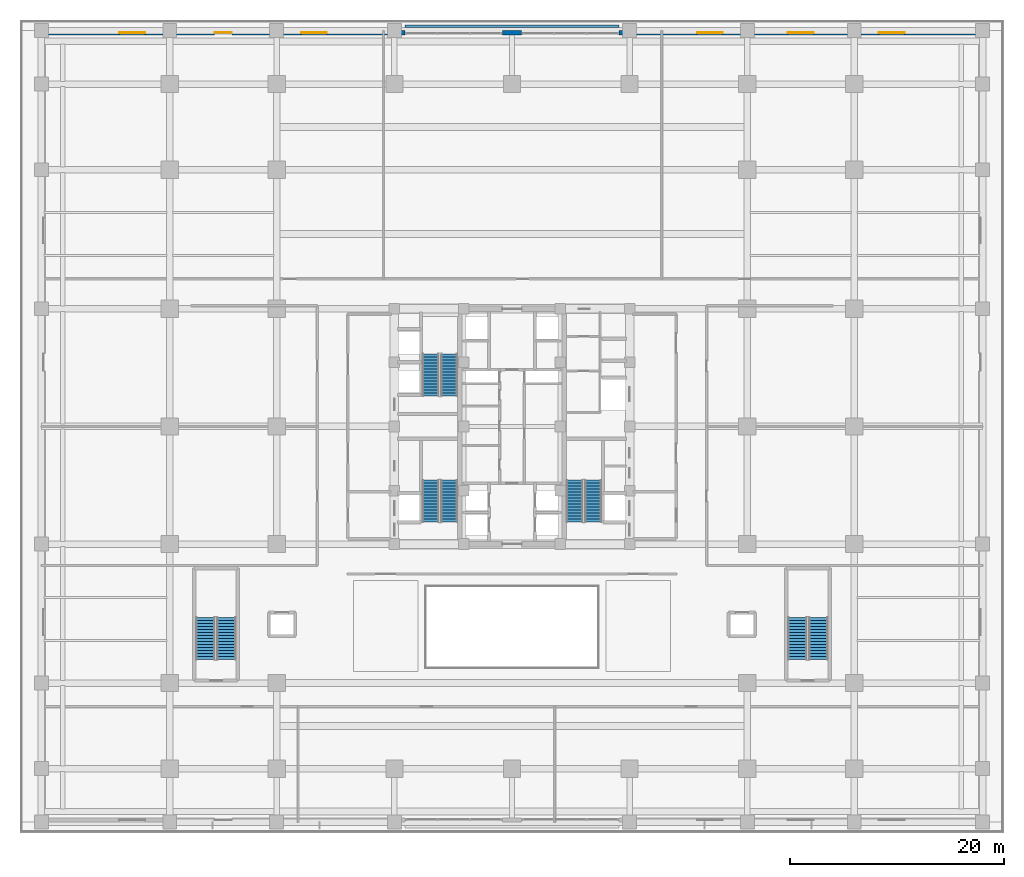
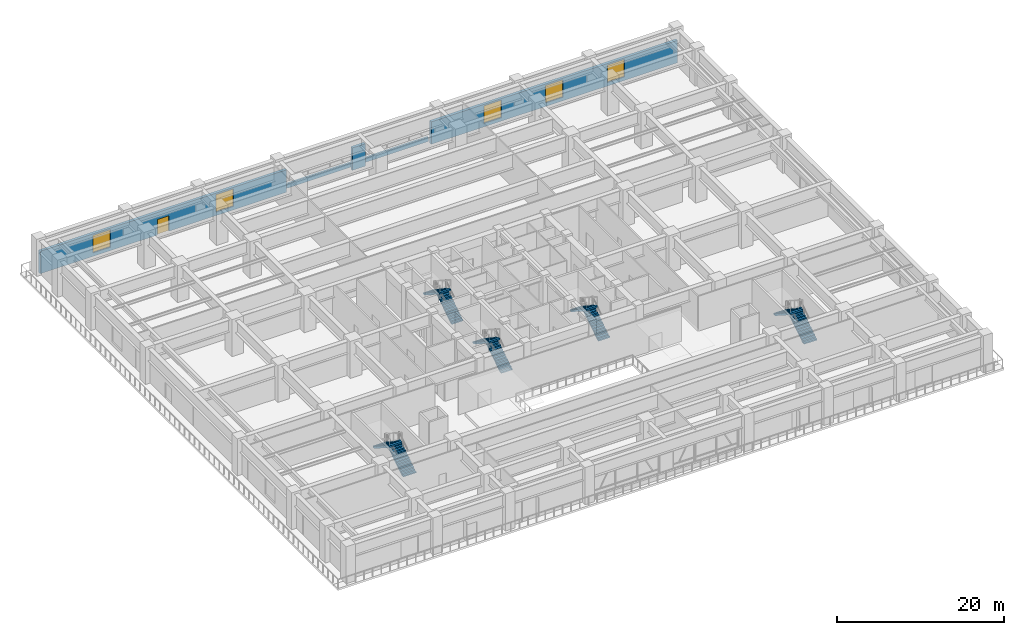
# One storey, part 21 of 28: 10 stair flights, 5 windows, 4 walls, 1 door, 6 openings, 5 elements without a shape of their own.
"""IFC4 building model written with IfcOpenShell, lengths in metres."""

from ifc_helpers import new_model, si_unit, direction, frame, frame_2d, origin, place, context, subcontext, project, spatial, polyline, rectangle, outline, extrude, source, transform, mapped, material, layer, layer_set, type_object, element, fill, aggregate, save


model = new_model("IFC4")

# Units and contexts
model_context = context("Model", 3, precision=1e-05, world=origin(), true_north=direction((0.0, 1.0)))
body_context = subcontext(model_context, "Body", "Model", "MODEL_VIEW")
ifc_project = project(units=[si_unit("LENGTHUNIT", "METRE"), si_unit("AREAUNIT", "SQUARE_METRE"), si_unit("VOLUMEUNIT", "CUBIC_METRE"), si_unit("PLANEANGLEUNIT", "RADIAN"), si_unit("MASSUNIT", "GRAM", prefix="KILO")], contexts=[model_context])

# Site, building, storey
site_placement = place(None, origin())
site = spatial("IfcSite", under=ifc_project, at=site_placement, CompositionType="ELEMENT")
building_placement = place(site_placement, origin())
building = spatial("IfcBuilding", under=site, at=building_placement, Name="Khorayat Bourse Tower", CompositionType="ELEMENT")
storey_placement = place(building_placement, frame((0.0, 0.0, 6.60009765625)))
storey = spatial("IfcBuildingStorey", under=building, at=storey_placement, Name="L01", CompositionType="ELEMENT", Elevation=6.60009765625)

# Wall, openings, door, windows
ifc_material_1 = material(Name="Precast concrete C45/55", Category="concrete")
ifc_layer_1 = layer(ifc_material_1, 0.3798828125)
ifc_layer_set_1 = layer_set([ifc_layer_1], Name="Precast concrete C45/55")
wall_type_1 = type_object("IfcWallType", Name="WAL-EXT-STONE-380", PredefinedType="STANDARD", material=ifc_layer_set_1)
shared_shape_1 = source(origin(), body_context, "Body", "SweptSolid", [
    extrude(rectangle(XDim=34.0, YDim=0.3798828125, at=frame_2d((17.0, 0.0))), origin(), (0.0, 0.0, 1.0), 3.27978515625),
])
wall_1_placement = place(storey_placement, frame((-44.0, 36.81005859375, 0.0), z_axis=(0.0, 0.0, 1.0), x_axis=(1.0, 0.0, 0.0)))
wall_1 = element("IfcWall", 1, at=wall_1_placement, inside=storey, type_object=wall_type_1, Name="L01 Exterior Limestone Wall WAL-L01-EXT-NW", PredefinedType="STANDARD", context=body_context, shape_type="MappedRepresentation", body=[
    mapped(shared_shape_1, transform((0.0, 0.0, 0.0), scale=1.0)),
])
shared_shape_2 = source(origin(), body_context, "Body", "SweptSolid", [
    extrude(rectangle(XDim=1.60009765625, YDim=2.25, at=frame_2d((0.800048828125, 1.125))), frame((0.0, 0.199951171875, 0.0), z_axis=(0.0, -1.0, 0.0), x_axis=(1.0, 0.0, 0.0)), (0.0, 0.0, 1.0), 0.39990234375),
])
opening_1_placement = place(wall_1_placement, frame((16.199951171875, 0.0, 0.0)))
opening_1 = element("IfcOpeningElement", 2, at=opening_1_placement, cuts=wall_1, Name="Opening DE-04", PredefinedType="OPENING", context=body_context, shape_type="MappedRepresentation", body=[
    mapped(shared_shape_2, transform((0.0, 0.0, 0.0), scale=1.0)),
])
shared_shape_3 = source(origin(), body_context, "Body", "SweptSolid", [
    extrude(rectangle(XDim=2.39990234375, YDim=2.56005859375, at=frame_2d((1.199951171875, 1.280029296875))), frame((0.0, 0.199951171875, 0.0), z_axis=(0.0, -1.0, 0.0), x_axis=(1.0, 0.0, 0.0)), (0.0, 0.0, 1.0), 0.39990234375),
])
opening_2_placement = place(wall_1_placement, frame((7.300048828125, 0.0, 0.5)))
opening_2 = element("IfcOpeningElement", 3, at=opening_2_placement, cuts=wall_1, Name="Opening WN-01", PredefinedType="OPENING", context=body_context, shape_type="MappedRepresentation", body=[
    mapped(shared_shape_3, transform((0.0, 0.0, 0.0), scale=1.0)),
])
opening_3_placement = place(wall_1_placement, frame((24.300048828125, 0.0, 0.5)))
opening_3 = element("IfcOpeningElement", 4, at=opening_3_placement, cuts=wall_1, Name="Opening WN-01", PredefinedType="OPENING", context=body_context, shape_type="MappedRepresentation", body=[
    mapped(shared_shape_3, transform((0.0, 0.0, 0.0), scale=1.0)),
])
ifc_material_2 = material(Name="Thermally broken aluminium terrace double door", Category="aluminium")
door_type = type_object("IfcDoorType", Name="DR-EXT-TERR-1600", OperationType="NOTDEFINED", PredefinedType="DOOR", material=ifc_material_2)
shared_shape_4 = source(origin(), body_context, "Body", "SweptSolid", [
    extrude(rectangle(XDim=1.60009765625, YDim=2.25, at=frame_2d((0.800048828125, 1.125))), frame((0.0, 0.02490234375, 0.0), z_axis=(0.0, -1.0, 0.0), x_axis=(1.0, 0.0, 0.0)), (0.0, 0.0, 1.0), 0.050048828125),
])
door_placement = place(opening_1_placement, origin())
door = element("IfcDoor", 5, at=door_placement, inside=storey, type_object=door_type, Name="L01 North Garden Terrace Door", OperationType="DOUBLE_DOOR_SINGLE_SWING", OverallHeight=2.25, OverallWidth=1.60009765625, PredefinedType="DOOR", context=body_context, shape_type="MappedRepresentation", body=[
    mapped(shared_shape_4, transform((0.0, 0.0, 0.0), scale=1.0)),
])
fill(opening_1, door)
ifc_material_3 = material(Name="Low-E solar-control laminated double glazing", Category="glass")
window_type = type_object("IfcWindowType", Name="WIN-POD-2400x2600", PartitioningType="SINGLE_PANEL", PredefinedType="WINDOW", material=ifc_material_3)
shared_shape_5 = source(origin(), body_context, "Body", "SweptSolid", [
    extrude(rectangle(XDim=2.39990234375, YDim=2.56005859375, at=frame_2d((1.199951171875, 1.280029296875))), frame((0.0, 0.030029296875, 0.0), z_axis=(0.0, -1.0, 0.0), x_axis=(1.0, 0.0, 0.0)), (0.0, 0.0, 1.0), 0.06005859375),
])
window_1_placement = place(opening_2_placement, origin())
window_1 = element("IfcWindow", 6, at=window_1_placement, inside=storey, type_object=window_type, Name="L01 Facade Window 1", OverallHeight=2.56005859375, OverallWidth=2.39990234375, PartitioningType="SINGLE_PANEL", PredefinedType="WINDOW", context=body_context, shape_type="MappedRepresentation", body=[
    mapped(shared_shape_5, transform((0.0, 0.0, 0.0), scale=1.0)),
])
fill(opening_2, window_1)
window_2_placement = place(opening_3_placement, origin())
window_2 = element("IfcWindow", 7, at=window_2_placement, inside=storey, type_object=window_type, Name="L01 Facade Window 3", OverallHeight=2.56005859375, OverallWidth=2.39990234375, PartitioningType="SINGLE_PANEL", PredefinedType="WINDOW", context=body_context, shape_type="MappedRepresentation", body=[
    mapped(shared_shape_5, transform((0.0, 0.0, 0.0), scale=1.0)),
])
fill(opening_3, window_2)

# Wall, openings, windows
wall_2_placement = place(storey_placement, frame((10.0, 36.81005859375, 0.0), z_axis=(0.0, 0.0, 1.0), x_axis=(1.0, 0.0, 0.0)))
wall_2 = element("IfcWall", 8, at=wall_2_placement, inside=storey, type_object=wall_type_1, Name="L01 Exterior Limestone Wall WAL-L01-EXT-NE", PredefinedType="STANDARD", context=body_context, shape_type="MappedRepresentation", body=[
    mapped(shared_shape_1, transform((0.0, 0.0, 0.0), scale=1.0)),
])
opening_4_placement = place(wall_2_placement, frame((7.300048828125, 0.0, 0.5)))
opening_4 = element("IfcOpeningElement", 9, at=opening_4_placement, cuts=wall_2, Name="Opening WN-01", PredefinedType="OPENING", context=body_context, shape_type="MappedRepresentation", body=[
    mapped(shared_shape_3, transform((0.0, 0.0, 0.0), scale=1.0)),
])
opening_5_placement = place(wall_2_placement, frame((15.800048828125, 0.0, 0.5)))
opening_5 = element("IfcOpeningElement", 10, at=opening_5_placement, cuts=wall_2, Name="Opening WN-01", PredefinedType="OPENING", context=body_context, shape_type="MappedRepresentation", body=[
    mapped(shared_shape_3, transform((0.0, 0.0, 0.0), scale=1.0)),
])
opening_6_placement = place(wall_2_placement, frame((24.300048828125, 0.0, 0.5)))
opening_6 = element("IfcOpeningElement", 11, at=opening_6_placement, cuts=wall_2, Name="Opening WN-01", PredefinedType="OPENING", context=body_context, shape_type="MappedRepresentation", body=[
    mapped(shared_shape_3, transform((0.0, 0.0, 0.0), scale=1.0)),
])
window_3_placement = place(opening_4_placement, origin())
window_3 = element("IfcWindow", 12, at=window_3_placement, inside=storey, type_object=window_type, Name="L01 Facade Window 1", OverallHeight=2.56005859375, OverallWidth=2.39990234375, PartitioningType="SINGLE_PANEL", PredefinedType="WINDOW", context=body_context, shape_type="MappedRepresentation", body=[
    mapped(shared_shape_5, transform((0.0, 0.0, 0.0), scale=1.0)),
])
fill(opening_4, window_3)
window_4_placement = place(opening_5_placement, origin())
window_4 = element("IfcWindow", 13, at=window_4_placement, inside=storey, type_object=window_type, Name="L01 Facade Window 2", OverallHeight=2.56005859375, OverallWidth=2.39990234375, PartitioningType="SINGLE_PANEL", PredefinedType="WINDOW", context=body_context, shape_type="MappedRepresentation", body=[
    mapped(shared_shape_5, transform((0.0, 0.0, 0.0), scale=1.0)),
])
fill(opening_5, window_4)
window_5_placement = place(opening_6_placement, origin())
window_5 = element("IfcWindow", 14, at=window_5_placement, inside=storey, type_object=window_type, Name="L01 Facade Window 3", OverallHeight=2.56005859375, OverallWidth=2.39990234375, PartitioningType="SINGLE_PANEL", PredefinedType="WINDOW", context=body_context, shape_type="MappedRepresentation", body=[
    mapped(shared_shape_5, transform((0.0, 0.0, 0.0), scale=1.0)),
])
fill(opening_6, window_5)

# Walls
shared_shape_6 = source(origin(), body_context, "Body", "SweptSolid", [
    extrude(rectangle(XDim=1.7998046875, YDim=0.3798828125, at=frame_2d((0.89990234375, 0.0))), origin(), (0.0, 0.0, 1.0), 3.27978515625),
])
wall_3_placement = place(storey_placement, frame((-0.89990234375, 36.81005859375, 0.0), z_axis=(0.0, 0.0, 1.0), x_axis=(1.0, 0.0, 0.0)))
element("IfcWall", 15, at=wall_3_placement, inside=storey, type_object=wall_type_1, Name="L01 Exterior Limestone Wall WAL-L01-EXT-NM", PredefinedType="STANDARD", context=body_context, shape_type="MappedRepresentation", body=[
    mapped(shared_shape_6, transform((0.0, 0.0, 0.0), scale=1.0)),
])
ifc_layer_2 = layer(ifc_material_1, 0.239990234375)
ifc_layer_set_2 = layer_set([ifc_layer_2], Name="Precast concrete C45/55")
wall_type_2 = type_object("IfcWallType", Name="WAL-PLANTER-240", PredefinedType="STANDARD", material=ifc_layer_set_2)
shared_shape_7 = source(origin(), body_context, "Body", "SweptSolid", [
    extrude(rectangle(XDim=20.0, YDim=0.239990234375, at=frame_2d((10.0, 0.0))), origin(), (0.0, 0.0, 1.0), 0.64990234375),
])
wall_4_placement = place(storey_placement, frame((-10.0, 37.429931640625, 0.0), z_axis=(0.0, 0.0, 1.0), x_axis=(1.0, 0.0, 0.0)))
element("IfcWall", 16, at=wall_4_placement, inside=storey, type_object=wall_type_2, Name="L01 Planted Terrace Upstand PLN-N", PredefinedType="STANDARD", context=body_context, shape_type="MappedRepresentation", body=[
    mapped(shared_shape_7, transform((0.0, 0.0, 0.0), scale=1.0)),
])

# Stair, stair flights
ifc_material_4 = material(Name="Concrete C40/50", Category="concrete")
stair_type_1 = type_object("IfcStairType", Name="STR-CORE-1550", PredefinedType="HALF_TURN_STAIR", material=ifc_material_4)
stair_1_placement = place(storey_placement, origin())
stair_1 = element("IfcStair", 17, at=stair_1_placement, inside=storey, type_object=stair_type_1, Name="L01 Exit Stair ST-1", PredefinedType="HALF_TURN_STAIR")
stair_flight_type_1 = type_object("IfcStairFlightType", Name="FLT-CORE-1550", PredefinedType="STRAIGHT", material=ifc_material_4)
shared_shape_8 = source(origin(), body_context, "Body", "SweptSolid", [
    extrude(outline(polyline([(0.0, 0.0), (0.0, 0.179931640625), (0.280029296875, 0.179931640625), (0.280029296875, 0.360107421875), (0.56005859375, 0.360107421875), (0.56005859375, 0.5400390625), (0.840087890625, 0.5400390625), (0.840087890625, 0.719970703125), (1.1201171875, 0.719970703125), (1.1201171875, 0.89990234375), (1.39990234375, 0.89990234375), (1.39990234375, 1.080078125), (1.679931640625, 1.080078125), (1.679931640625, 1.260009765625), (1.9599609375, 1.260009765625), (1.9599609375, 1.43994140625), (2.239990234375, 1.43994140625), (2.239990234375, 1.6201171875), (2.52001953125, 1.6201171875), (2.52001953125, 1.800048828125), (2.800048828125, 1.800048828125), (2.800048828125, 1.97998046875), (3.080078125, 1.97998046875), (3.080078125, 2.159912109375), (3.360107421875, 2.159912109375), (3.360107421875, 2.340087890625), (3.639892578125, 2.340087890625), (3.639892578125, 2.52001953125), (3.919921875, 2.52001953125), (3.919921875, 2.699951171875), (3.919921875, 2.30615234375), (0.332763671875, 0.0), (0.0, 0.0)])), frame((0.0, 0.77490234375, 0.0), z_axis=(0.0, -1.0, 0.0), x_axis=(1.0, 0.0, 0.0)), (0.0, 0.0, 1.0), 1.550048828125),
])
stair_flight_1_placement = place(storey_placement, frame((-5.875, -8.949951171875, 0.0), z_axis=(0.0, 0.0, 1.0), x_axis=(0.0, 1.0, 0.0)))
stair_flight_1 = element("IfcStairFlight", 18, at=stair_flight_1_placement, type_object=stair_flight_type_1, Name="ST-1 flight 1", NumberOfRisers=15, NumberOfTreads=14, PredefinedType="STRAIGHT", RiserHeight=0.18, TreadLength=0.28, context=body_context, shape_type="MappedRepresentation", body=[
    mapped(shared_shape_8, transform((0.0, 0.0, 0.0), scale=1.0)),
])
stair_flight_2_placement = place(storey_placement, frame((-7.574951171875, -5.030029296875, 2.699951171875), z_axis=(0.0, 0.0, 1.0), x_axis=(0.0, -1.0, 0.0)))
stair_flight_2 = element("IfcStairFlight", 19, at=stair_flight_2_placement, type_object=stair_flight_type_1, Name="ST-1 flight 2", NumberOfRisers=15, NumberOfTreads=14, PredefinedType="STRAIGHT", RiserHeight=0.18, TreadLength=0.28, context=body_context, shape_type="MappedRepresentation", body=[
    mapped(shared_shape_8, transform((0.0, 0.0, 0.0), scale=1.0)),
])
aggregate(stair_1, [stair_flight_1, stair_flight_2])

stair_2_placement = place(storey_placement, origin())
stair_2 = element("IfcStair", 20, at=stair_2_placement, inside=storey, type_object=stair_type_1, Name="L01 Exit Stair ST-2", PredefinedType="HALF_TURN_STAIR")
stair_flight_3_placement = place(storey_placement, frame((-5.875, 2.85009765625, 0.0), z_axis=(0.0, 0.0, 1.0), x_axis=(0.0, 1.0, 0.0)))
stair_flight_3 = element("IfcStairFlight", 21, at=stair_flight_3_placement, type_object=stair_flight_type_1, Name="ST-2 flight 1", NumberOfRisers=15, NumberOfTreads=14, PredefinedType="STRAIGHT", RiserHeight=0.18, TreadLength=0.28, context=body_context, shape_type="MappedRepresentation", body=[
    mapped(shared_shape_8, transform((0.0, 0.0, 0.0), scale=1.0)),
])
stair_flight_4_placement = place(storey_placement, frame((-7.574951171875, 6.77001953125, 2.699951171875), z_axis=(0.0, 0.0, 1.0), x_axis=(0.0, -1.0, 0.0)))
stair_flight_4 = element("IfcStairFlight", 22, at=stair_flight_4_placement, type_object=stair_flight_type_1, Name="ST-2 flight 2", NumberOfRisers=15, NumberOfTreads=14, PredefinedType="STRAIGHT", RiserHeight=0.18, TreadLength=0.28, context=body_context, shape_type="MappedRepresentation", body=[
    mapped(shared_shape_8, transform((0.0, 0.0, 0.0), scale=1.0)),
])
aggregate(stair_2, [stair_flight_3, stair_flight_4])

stair_3_placement = place(storey_placement, origin())
stair_3 = element("IfcStair", 23, at=stair_3_placement, inside=storey, type_object=stair_type_1, Name="L01 Exit Stair ST-3", PredefinedType="HALF_TURN_STAIR")
stair_flight_5_placement = place(storey_placement, frame((7.574951171875, -8.949951171875, 0.0), z_axis=(0.0, 0.0, 1.0), x_axis=(0.0, 1.0, 0.0)))
stair_flight_5 = element("IfcStairFlight", 24, at=stair_flight_5_placement, type_object=stair_flight_type_1, Name="ST-3 flight 1", NumberOfRisers=15, NumberOfTreads=14, PredefinedType="STRAIGHT", RiserHeight=0.18, TreadLength=0.28, context=body_context, shape_type="MappedRepresentation", body=[
    mapped(shared_shape_8, transform((0.0, 0.0, 0.0), scale=1.0)),
])
stair_flight_6_placement = place(storey_placement, frame((5.875, -5.030029296875, 2.699951171875), z_axis=(0.0, 0.0, 1.0), x_axis=(0.0, -1.0, 0.0)))
stair_flight_6 = element("IfcStairFlight", 25, at=stair_flight_6_placement, type_object=stair_flight_type_1, Name="ST-3 flight 2", NumberOfRisers=15, NumberOfTreads=14, PredefinedType="STRAIGHT", RiserHeight=0.18, TreadLength=0.28, context=body_context, shape_type="MappedRepresentation", body=[
    mapped(shared_shape_8, transform((0.0, 0.0, 0.0), scale=1.0)),
])
aggregate(stair_3, [stair_flight_5, stair_flight_6])

stair_type_2 = type_object("IfcStairType", Name="STR-POD-1800", PredefinedType="HALF_TURN_STAIR", material=ifc_material_4)
stair_4_placement = place(storey_placement, origin())
stair_4 = element("IfcStair", 26, at=stair_4_placement, inside=storey, type_object=stair_type_2, Name="L01 Exit Stair ST-P1", PredefinedType="HALF_TURN_STAIR")
stair_flight_type_2 = type_object("IfcStairFlightType", Name="FLT-POD-1800", PredefinedType="STRAIGHT", material=ifc_material_4)
shared_shape_9 = source(origin(), body_context, "Body", "SweptSolid", [
    extrude(outline(polyline([(0.0, 0.0), (0.0, 0.179931640625), (0.280029296875, 0.179931640625), (0.280029296875, 0.360107421875), (0.56005859375, 0.360107421875), (0.56005859375, 0.5400390625), (0.840087890625, 0.5400390625), (0.840087890625, 0.719970703125), (1.1201171875, 0.719970703125), (1.1201171875, 0.89990234375), (1.39990234375, 0.89990234375), (1.39990234375, 1.080078125), (1.679931640625, 1.080078125), (1.679931640625, 1.260009765625), (1.9599609375, 1.260009765625), (1.9599609375, 1.43994140625), (2.239990234375, 1.43994140625), (2.239990234375, 1.6201171875), (2.52001953125, 1.6201171875), (2.52001953125, 1.800048828125), (2.800048828125, 1.800048828125), (2.800048828125, 1.97998046875), (3.080078125, 1.97998046875), (3.080078125, 2.159912109375), (3.360107421875, 2.159912109375), (3.360107421875, 2.340087890625), (3.639892578125, 2.340087890625), (3.639892578125, 2.52001953125), (3.919921875, 2.52001953125), (3.919921875, 2.699951171875), (3.919921875, 2.2822265625), (0.369873046875, 0.0), (0.0, 0.0)])), frame((0.0, 0.89990234375, 0.0), z_axis=(0.0, -1.0, 0.0), x_axis=(1.0, 0.0, 0.0)), (0.0, 0.0, 1.0), 1.800048828125),
])
stair_flight_7_placement = place(storey_placement, frame((-26.699951171875, -21.800048828125, 0.0), z_axis=(0.0, 0.0, 1.0), x_axis=(0.0, 1.0, 0.0)))
stair_flight_7 = element("IfcStairFlight", 27, at=stair_flight_7_placement, type_object=stair_flight_type_2, Name="ST-P1 flight 1", NumberOfRisers=15, NumberOfTreads=14, PredefinedType="STRAIGHT", RiserHeight=0.18, TreadLength=0.28, context=body_context, shape_type="MappedRepresentation", body=[
    mapped(shared_shape_9, transform((0.0, 0.0, 0.0), scale=1.0)),
])
stair_flight_8_placement = place(storey_placement, frame((-28.64990234375, -17.8798828125, 2.699951171875), z_axis=(0.0, 0.0, 1.0), x_axis=(0.0, -1.0, 0.0)))
stair_flight_8 = element("IfcStairFlight", 28, at=stair_flight_8_placement, type_object=stair_flight_type_2, Name="ST-P1 flight 2", NumberOfRisers=15, NumberOfTreads=14, PredefinedType="STRAIGHT", RiserHeight=0.18, TreadLength=0.28, context=body_context, shape_type="MappedRepresentation", body=[
    mapped(shared_shape_9, transform((0.0, 0.0, 0.0), scale=1.0)),
])
aggregate(stair_4, [stair_flight_7, stair_flight_8])

stair_5_placement = place(storey_placement, origin())
stair_5 = element("IfcStair", 29, at=stair_5_placement, inside=storey, type_object=stair_type_2, Name="L01 Exit Stair ST-P2", PredefinedType="HALF_TURN_STAIR")
stair_flight_9_placement = place(storey_placement, frame((28.64990234375, -21.800048828125, 0.0), z_axis=(0.0, 0.0, 1.0), x_axis=(0.0, 1.0, 0.0)))
stair_flight_9 = element("IfcStairFlight", 30, at=stair_flight_9_placement, type_object=stair_flight_type_2, Name="ST-P2 flight 1", NumberOfRisers=15, NumberOfTreads=14, PredefinedType="STRAIGHT", RiserHeight=0.18, TreadLength=0.28, context=body_context, shape_type="MappedRepresentation", body=[
    mapped(shared_shape_9, transform((0.0, 0.0, 0.0), scale=1.0)),
])
stair_flight_10_placement = place(storey_placement, frame((26.699951171875, -17.8798828125, 2.699951171875), z_axis=(0.0, 0.0, 1.0), x_axis=(0.0, -1.0, 0.0)))
stair_flight_10 = element("IfcStairFlight", 31, at=stair_flight_10_placement, type_object=stair_flight_type_2, Name="ST-P2 flight 2", NumberOfRisers=15, NumberOfTreads=14, PredefinedType="STRAIGHT", RiserHeight=0.18, TreadLength=0.28, context=body_context, shape_type="MappedRepresentation", body=[
    mapped(shared_shape_9, transform((0.0, 0.0, 0.0), scale=1.0)),
])
aggregate(stair_5, [stair_flight_9, stair_flight_10])

save(model, "model.ifc")
